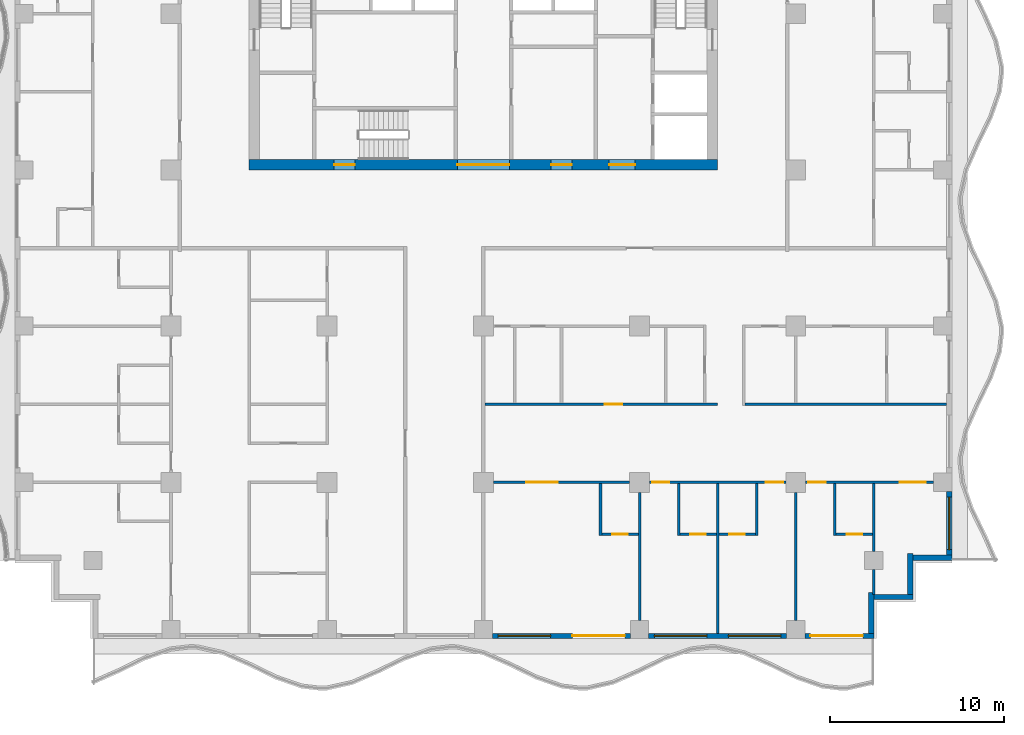
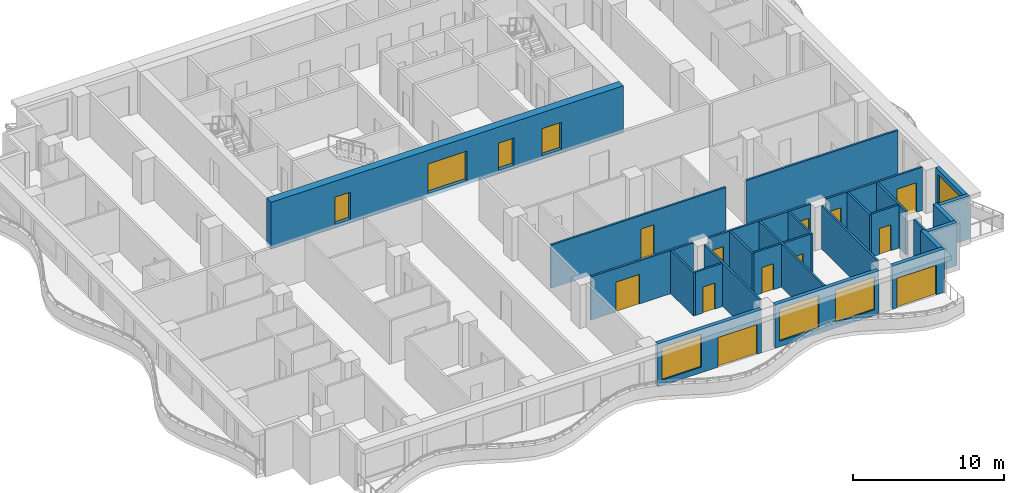
# One storey, part 3 of 11: 27 walls, 16 doors, 4 windows, 20 openings.
"""IFC4 building model written with IfcOpenShell, lengths in metres."""

from ifc_helpers import new_model, si_unit, direction, frame, frame_2d, origin, place, context, subcontext, project, spatial, rectangle, extrude, material, layer, layer_set, type_object, element, fill, save


model = new_model("IFC4")

# Units and contexts
model_context = context("Model", 3, precision=1e-05, world=origin(), true_north=direction((0.0, 1.0)))
body_context = subcontext(model_context, "Body", "Model", "MODEL_VIEW")
ifc_project = project(units=[si_unit("LENGTHUNIT", "METRE"), si_unit("AREAUNIT", "SQUARE_METRE"), si_unit("VOLUMEUNIT", "CUBIC_METRE"), si_unit("PLANEANGLEUNIT", "RADIAN"), si_unit("MASSUNIT", "GRAM", prefix="KILO")], contexts=[model_context])

# Site, building, storey
site_placement = place(None, origin())
site = spatial("IfcSite", under=ifc_project, at=site_placement, CompositionType="ELEMENT")
building_placement = place(site_placement, origin())
building = spatial("IfcBuilding", under=site, at=building_placement, Name="Orbiselva Terraces", CompositionType="ELEMENT")
storey_placement = place(building_placement, frame((0.0, 0.0, 192.0)))
storey = spatial("IfcBuildingStorey", under=building, at=storey_placement, Name="L48", CompositionType="ELEMENT", Elevation=192.0)

# Wall, openings, doors
ifc_material_1 = material(Name="Concrete C80/95", Category="concrete")
ifc_layer_1 = layer(ifc_material_1, 0.6)
ifc_layer_set_1 = layer_set([ifc_layer_1], Name="Concrete C80/95")
wall_type_1 = type_object("IfcWallType", Name="CORE WALL 600", PredefinedType="SHEAR", material=ifc_layer_set_1)
wall_1_placement = place(storey_placement, frame((-13.5, 4.8, -0.3), z_axis=(0.0, 0.0, 1.0), x_axis=(1.0, 0.0, 0.0)))
wall_1 = element("IfcWall", 1, at=wall_1_placement, inside=storey, type_object=wall_type_1, Name="Core wall L48 south", PredefinedType="SHEAR", context=body_context, shape_type="SweptSolid", body=[
    extrude(rectangle(XDim=27.0, YDim=0.6, at=frame_2d((13.5, 0.0))), origin(), (0.0, 0.0, 1.0), 3.8),
])
opening_1_placement = place(wall_1_placement, frame((12.0, 0.0, 0.3)))
opening_1 = element("IfcOpeningElement", 2, at=opening_1_placement, cuts=wall_1, Name="Opening DL3000", PredefinedType="OPENING", context=body_context, shape_type="SweptSolid", body=[
    extrude(rectangle(XDim=3.0, YDim=2.4, at=frame_2d((1.5, 1.2))), frame((0.0, 0.31, 0.0), z_axis=(0.0, -1.0, 0.0), x_axis=(1.0, 0.0, 0.0)), (0.0, 0.0, 1.0), 0.62),
])
opening_2_placement = place(wall_1_placement, frame((4.9, 0.0, 0.3)))
opening_2 = element("IfcOpeningElement", 3, at=opening_2_placement, cuts=wall_1, Name="Opening DS1200", PredefinedType="OPENING", context=body_context, shape_type="SweptSolid", body=[
    extrude(rectangle(XDim=1.2, YDim=2.2, at=frame_2d((0.6, 1.1))), frame((0.0, 0.31, 0.0), z_axis=(0.0, -1.0, 0.0), x_axis=(1.0, 0.0, 0.0)), (0.0, 0.0, 1.0), 0.62),
])
opening_3_placement = place(wall_1_placement, frame((20.75, 0.0, 0.3)))
opening_3 = element("IfcOpeningElement", 4, at=opening_3_placement, cuts=wall_1, Name="Opening DF1500", PredefinedType="OPENING", context=body_context, shape_type="SweptSolid", body=[
    extrude(rectangle(XDim=1.5, YDim=2.2, at=frame_2d((0.75, 1.1))), frame((0.0, 0.31, 0.0), z_axis=(0.0, -1.0, 0.0), x_axis=(1.0, 0.0, 0.0)), (0.0, 0.0, 1.0), 0.62),
])
opening_4_placement = place(wall_1_placement, frame((17.4, 0.0, 0.3)))
opening_4 = element("IfcOpeningElement", 5, at=opening_4_placement, cuts=wall_1, Name="Opening DV1200", PredefinedType="OPENING", context=body_context, shape_type="SweptSolid", body=[
    extrude(rectangle(XDim=1.2, YDim=2.2, at=frame_2d((0.6, 1.1))), frame((0.0, 0.31, 0.0), z_axis=(0.0, -1.0, 0.0), x_axis=(1.0, 0.0, 0.0)), (0.0, 0.0, 1.0), 0.62),
])
ifc_material_2 = material(Name="Steel fire door", Category="steel")
door_type_1 = type_object("IfcDoorType", Name="FFL DOOR 1500", OperationType="DOUBLE_DOOR_SINGLE_SWING", PredefinedType="DOOR", material=ifc_material_2)
door_1_placement = place(opening_3_placement, frame((1.5, 0.0, 0.0), z_axis=(0.0, 0.0, 1.0), x_axis=(-1.0, 0.0, 0.0)))
door_1 = element("IfcDoor", 6, at=door_1_placement, inside=storey, type_object=door_type_1, Name="L48 FIRE-FIGHTING LOBBY door", OperationType="DOUBLE_DOOR_SINGLE_SWING", OverallHeight=2.2, OverallWidth=1.5, PredefinedType="DOOR", context=body_context, shape_type="SweptSolid", body=[
    extrude(rectangle(XDim=1.5, YDim=2.2, at=frame_2d((0.75, 1.1))), frame((0.0, 0.025, 0.0), z_axis=(0.0, -1.0, 0.0), x_axis=(1.0, 0.0, 0.0)), (0.0, 0.0, 1.0), 0.05),
])
fill(opening_3, door_1)
door_type_2 = type_object("IfcDoorType", Name="LOBBY DOOR 3000", OperationType="DOUBLE_DOOR_SINGLE_SWING", PredefinedType="DOOR", material=ifc_material_2)
door_2_placement = place(opening_1_placement, frame((3.0, 0.0, 0.0), z_axis=(0.0, 0.0, 1.0), x_axis=(-1.0, 0.0, 0.0)))
door_2 = element("IfcDoor", 7, at=door_2_placement, inside=storey, type_object=door_type_2, Name="L48 LIFT LOBBY door", OperationType="DOUBLE_DOOR_SINGLE_SWING", OverallHeight=2.4, OverallWidth=3.0, PredefinedType="DOOR", context=body_context, shape_type="SweptSolid", body=[
    extrude(rectangle(XDim=3.0, YDim=2.4, at=frame_2d((1.5, 1.2))), frame((0.0, 0.025, 0.0), z_axis=(0.0, -1.0, 0.0), x_axis=(1.0, 0.0, 0.0)), (0.0, 0.0, 1.0), 0.05),
])
fill(opening_1, door_2)
door_type_3 = type_object("IfcDoorType", Name="SERVICE DOOR 1200", OperationType="NOTDEFINED", PredefinedType="DOOR", material=ifc_material_2)
door_3_placement = place(opening_4_placement, frame((1.2, 0.0, 0.0), z_axis=(0.0, 0.0, 1.0), x_axis=(-1.0, 0.0, 0.0)))
door_3 = element("IfcDoor", 8, at=door_3_placement, inside=storey, type_object=door_type_3, Name="L48 SERVICE ROOM door", OperationType="SINGLE_SWING_RIGHT", OverallHeight=2.2, OverallWidth=1.2, PredefinedType="DOOR", context=body_context, shape_type="SweptSolid", body=[
    extrude(rectangle(XDim=1.2, YDim=2.2, at=frame_2d((0.6, 1.1))), frame((0.0, 0.025, 0.0), z_axis=(0.0, -1.0, 0.0), x_axis=(1.0, 0.0, 0.0)), (0.0, 0.0, 1.0), 0.05),
])
fill(opening_4, door_3)
door_type_4 = type_object("IfcDoorType", Name="STAIR DOOR 1200", OperationType="NOTDEFINED", PredefinedType="DOOR", material=ifc_material_2)
door_4_placement = place(opening_2_placement, frame((1.2, 0.0, 0.0), z_axis=(0.0, 0.0, 1.0), x_axis=(-1.0, 0.0, 0.0)))
door_4 = element("IfcDoor", 9, at=door_4_placement, inside=storey, type_object=door_type_4, Name="L48 EXIT STAIR S3 door", OperationType="SINGLE_SWING_LEFT", OverallHeight=2.2, OverallWidth=1.2, PredefinedType="DOOR", context=body_context, shape_type="SweptSolid", body=[
    extrude(rectangle(XDim=1.2, YDim=2.2, at=frame_2d((0.6, 1.1))), frame((0.0, 0.025, 0.0), z_axis=(0.0, -1.0, 0.0), x_axis=(1.0, 0.0, 0.0)), (0.0, 0.0, 1.0), 0.05),
])
fill(opening_2, door_4)

# Wall, openings, door, window
ifc_material_3 = material(Name="Terracotta cladding on masonry backing", Category="masonry")
ifc_layer_2 = layer(ifc_material_3, 0.3)
ifc_layer_set_2 = layer_set([ifc_layer_2], Name="Terracotta cladding on masonry backing")
wall_type_2 = type_object("IfcWallType", Name="ENV-WALL-TERRACOTTA-300", PredefinedType="SOLIDWALL", material=ifc_layer_set_2)
wall_2_placement = place(storey_placement, frame((8.475, -22.35, 0.0), z_axis=(0.0, 0.0, 1.0), x_axis=(-1.0, 0.0, 0.0)))
wall_2 = element("IfcWall", 10, at=wall_2_placement, inside=storey, type_object=wall_type_2, Name="Facade wall L48 S", PredefinedType="SOLIDWALL", context=body_context, shape_type="SweptSolid", body=[
    extrude(rectangle(XDim=7.95, YDim=0.3, at=frame_2d((3.975, 0.0))), origin(), (0.0, 0.0, 1.0), 3.5),
])
opening_5_placement = place(wall_2_placement, frame((4.6, 0.0, 0.45)))
opening_5 = element("IfcOpeningElement", 11, at=opening_5_placement, cuts=wall_2, Name="Opening WN14", PredefinedType="OPENING", context=body_context, shape_type="SweptSolid", body=[
    extrude(rectangle(XDim=3.025, YDim=2.65, at=frame_2d((1.5125, 1.325))), frame((0.0, 0.16, 0.0), z_axis=(0.0, -1.0, 0.0), x_axis=(1.0, 0.0, 0.0)), (0.0, 0.0, 1.0), 0.32),
])
opening_6_placement = place(wall_2_placement, frame((0.325, 0.0, 0.0)))
opening_6 = element("IfcOpeningElement", 12, at=opening_6_placement, cuts=wall_2, Name="Opening Z4-A-E03", PredefinedType="OPENING", context=body_context, shape_type="SweptSolid", body=[
    extrude(rectangle(XDim=3.025, YDim=2.4, at=frame_2d((1.5125, 1.2))), frame((0.0, 0.16, 0.0), z_axis=(0.0, -1.0, 0.0), x_axis=(1.0, 0.0, 0.0)), (0.0, 0.0, 1.0), 0.32),
])
ifc_material_4 = material(Name="Clear low-e glazing in aluminium frame", Category="aluminium")
door_type_5 = type_object("IfcDoorType", Name="BALCONY DOOR 3025 X 2400", OperationType="DOUBLE_DOOR_SLIDING", PredefinedType="DOOR", material=ifc_material_4)
door_5_placement = place(opening_6_placement, origin())
door_5 = element("IfcDoor", 13, at=door_5_placement, inside=storey, type_object=door_type_5, Name="Z4-A-E03", OperationType="SINGLE_SWING_LEFT", OverallHeight=2.4, OverallWidth=3.025, PredefinedType="DOOR", context=body_context, shape_type="SweptSolid", body=[
    extrude(rectangle(XDim=3.025, YDim=2.4, at=frame_2d((1.5125, 1.2))), frame((0.0, 0.025, 0.0), z_axis=(0.0, -1.0, 0.0), x_axis=(1.0, 0.0, 0.0)), (0.0, 0.0, 1.0), 0.05),
])
fill(opening_6, door_5)
window_type = type_object("IfcWindowType", Name="WINDOW 3025 X 2650 S450", PartitioningType="TRIPLE_PANEL_VERTICAL", PredefinedType="WINDOW", material=ifc_material_4)
window_1_placement = place(opening_5_placement, origin())
window_1 = element("IfcWindow", 14, at=window_1_placement, inside=storey, type_object=window_type, Name="Window L48 S", OverallHeight=2.65, OverallWidth=3.025, PartitioningType="SINGLE_PANEL", PredefinedType="WINDOW", context=body_context, shape_type="SweptSolid", body=[
    extrude(rectangle(XDim=3.025, YDim=2.65, at=frame_2d((1.5125, 1.325))), frame((0.0, 0.03, 0.0), z_axis=(0.0, -1.0, 0.0), x_axis=(1.0, 0.0, 0.0)), (0.0, 0.0, 1.0), 0.06),
])
fill(opening_5, window_1)

# Wall, openings, windows
wall_3_placement = place(storey_placement, frame((17.475, -22.35, 0.0), z_axis=(0.0, 0.0, 1.0), x_axis=(-1.0, 0.0, 0.0)))
wall_3 = element("IfcWall", 15, at=wall_3_placement, inside=storey, type_object=wall_type_2, Name="Facade wall L48 S", PredefinedType="SOLIDWALL", context=body_context, shape_type="SweptSolid", body=[
    extrude(rectangle(XDim=7.95, YDim=0.3, at=frame_2d((3.975, 0.0))), origin(), (0.0, 0.0, 1.0), 3.5),
])
opening_7_placement = place(wall_3_placement, frame((4.6, 0.0, 0.45)))
opening_7 = element("IfcOpeningElement", 16, at=opening_7_placement, cuts=wall_3, Name="Opening WN14", PredefinedType="OPENING", context=body_context, shape_type="SweptSolid", body=[
    extrude(rectangle(XDim=3.025, YDim=2.65, at=frame_2d((1.5125, 1.325))), frame((0.0, 0.16, 0.0), z_axis=(0.0, -1.0, 0.0), x_axis=(1.0, 0.0, 0.0)), (0.0, 0.0, 1.0), 0.32),
])
opening_8_placement = place(wall_3_placement, frame((0.325, 0.0, 0.45)))
opening_8 = element("IfcOpeningElement", 17, at=opening_8_placement, cuts=wall_3, Name="Opening WN14", PredefinedType="OPENING", context=body_context, shape_type="SweptSolid", body=[
    extrude(rectangle(XDim=3.025, YDim=2.65, at=frame_2d((1.5125, 1.325))), frame((0.0, 0.16, 0.0), z_axis=(0.0, -1.0, 0.0), x_axis=(1.0, 0.0, 0.0)), (0.0, 0.0, 1.0), 0.32),
])
window_2_placement = place(opening_7_placement, origin())
window_2 = element("IfcWindow", 18, at=window_2_placement, inside=storey, type_object=window_type, Name="Window L48 S", OverallHeight=2.65, OverallWidth=3.025, PartitioningType="SINGLE_PANEL", PredefinedType="WINDOW", context=body_context, shape_type="SweptSolid", body=[
    extrude(rectangle(XDim=3.025, YDim=2.65, at=frame_2d((1.5125, 1.325))), frame((0.0, 0.03, 0.0), z_axis=(0.0, -1.0, 0.0), x_axis=(1.0, 0.0, 0.0)), (0.0, 0.0, 1.0), 0.06),
])
fill(opening_7, window_2)
window_3_placement = place(opening_8_placement, origin())
window_3 = element("IfcWindow", 19, at=window_3_placement, inside=storey, type_object=window_type, Name="Window L48 S", OverallHeight=2.65, OverallWidth=3.025, PartitioningType="SINGLE_PANEL", PredefinedType="WINDOW", context=body_context, shape_type="SweptSolid", body=[
    extrude(rectangle(XDim=3.025, YDim=2.65, at=frame_2d((1.5125, 1.325))), frame((0.0, 0.03, 0.0), z_axis=(0.0, -1.0, 0.0), x_axis=(1.0, 0.0, 0.0)), (0.0, 0.0, 1.0), 0.06),
])
fill(opening_8, window_3)

# Wall, opening, door
wall_4_placement = place(storey_placement, frame((22.5, -22.35, 0.0), z_axis=(0.0, 0.0, 1.0), x_axis=(-1.0, 0.0, 0.0)))
wall_4 = element("IfcWall", 20, at=wall_4_placement, inside=storey, type_object=wall_type_2, Name="Facade wall L48 S", PredefinedType="SOLIDWALL", context=body_context, shape_type="SweptSolid", body=[
    extrude(rectangle(XDim=3.975, YDim=0.3, at=frame_2d((1.9875, 0.0))), origin(), (0.0, 0.0, 1.0), 3.5),
])
opening_9_placement = place(wall_4_placement, frame((0.625, 0.0, 0.0)))
opening_9 = element("IfcOpeningElement", 21, at=opening_9_placement, cuts=wall_4, Name="Opening Z4-A-E15", PredefinedType="OPENING", context=body_context, shape_type="SweptSolid", body=[
    extrude(rectangle(XDim=3.025, YDim=2.4, at=frame_2d((1.5125, 1.2))), frame((0.0, 0.16, 0.0), z_axis=(0.0, -1.0, 0.0), x_axis=(1.0, 0.0, 0.0)), (0.0, 0.0, 1.0), 0.32),
])
door_6_placement = place(opening_9_placement, origin())
door_6 = element("IfcDoor", 22, at=door_6_placement, inside=storey, type_object=door_type_5, Name="Z4-A-E15", OperationType="SINGLE_SWING_LEFT", OverallHeight=2.4, OverallWidth=3.025, PredefinedType="DOOR", context=body_context, shape_type="SweptSolid", body=[
    extrude(rectangle(XDim=3.025, YDim=2.4, at=frame_2d((1.5125, 1.2))), frame((0.0, 0.025, 0.0), z_axis=(0.0, -1.0, 0.0), x_axis=(1.0, 0.0, 0.0)), (0.0, 0.0, 1.0), 0.05),
])
fill(opening_9, door_6)

# Walls
wall_5_placement = place(storey_placement, frame((22.35, -19.85, 0.0), z_axis=(0.0, 0.0, 1.0), x_axis=(0.0, -1.0, 0.0)))
element("IfcWall", 23, at=wall_5_placement, inside=storey, type_object=wall_type_2, Name="Facade wall L48 STEP", PredefinedType="SOLIDWALL", context=body_context, shape_type="SweptSolid", body=[
    extrude(rectangle(XDim=2.35, YDim=0.3, at=frame_2d((1.175, 0.0))), origin(), (0.0, 0.0, 1.0), 3.5),
])
wall_6_placement = place(storey_placement, frame((24.75, -20.1, 0.0), z_axis=(0.0, 0.0, 1.0), x_axis=(-1.0, 0.0, 0.0)))
element("IfcWall", 24, at=wall_6_placement, inside=storey, type_object=wall_type_2, Name="Facade wall L48 STEP", PredefinedType="SOLIDWALL", context=body_context, shape_type="SweptSolid", body=[
    extrude(rectangle(XDim=2.25, YDim=0.3, at=frame_2d((1.125, 0.0))), origin(), (0.0, 0.0, 1.0), 3.5),
])
wall_7_placement = place(storey_placement, frame((24.6, -17.6, 0.0), z_axis=(0.0, 0.0, 1.0), x_axis=(0.0, -1.0, 0.0)))
element("IfcWall", 25, at=wall_7_placement, inside=storey, type_object=wall_type_2, Name="Facade wall L48 STEP", PredefinedType="SOLIDWALL", context=body_context, shape_type="SweptSolid", body=[
    extrude(rectangle(XDim=2.35, YDim=0.3, at=frame_2d((1.175, 0.0))), origin(), (0.0, 0.0, 1.0), 3.5),
])
wall_8_placement = place(storey_placement, frame((27.0, -17.85, 0.0), z_axis=(0.0, 0.0, 1.0), x_axis=(-1.0, 0.0, 0.0)))
element("IfcWall", 26, at=wall_8_placement, inside=storey, type_object=wall_type_2, Name="Facade wall L48 STEP", PredefinedType="SOLIDWALL", context=body_context, shape_type="SweptSolid", body=[
    extrude(rectangle(XDim=2.25, YDim=0.3, at=frame_2d((1.125, 0.0))), origin(), (0.0, 0.0, 1.0), 3.5),
])

# Wall, opening, window
wall_9_placement = place(storey_placement, frame((26.85, -14.025, 0.0), z_axis=(0.0, 0.0, 1.0), x_axis=(0.0, -1.0, 0.0)))
wall_9 = element("IfcWall", 27, at=wall_9_placement, inside=storey, type_object=wall_type_2, Name="Facade wall L48 E", PredefinedType="SOLIDWALL", context=body_context, shape_type="SweptSolid", body=[
    extrude(rectangle(XDim=3.675, YDim=0.3, at=frame_2d((1.8375, 0.0))), origin(), (0.0, 0.0, 1.0), 3.5),
])
opening_10_placement = place(wall_9_placement, frame((0.325, 0.0, 0.45)))
opening_10 = element("IfcOpeningElement", 28, at=opening_10_placement, cuts=wall_9, Name="Opening WN14", PredefinedType="OPENING", context=body_context, shape_type="SweptSolid", body=[
    extrude(rectangle(XDim=3.025, YDim=2.65, at=frame_2d((1.5125, 1.325))), frame((0.0, 0.16, 0.0), z_axis=(0.0, -1.0, 0.0), x_axis=(1.0, 0.0, 0.0)), (0.0, 0.0, 1.0), 0.32),
])
window_4_placement = place(opening_10_placement, origin())
window_4 = element("IfcWindow", 29, at=window_4_placement, inside=storey, type_object=window_type, Name="Window L48 E", OverallHeight=2.65, OverallWidth=3.025, PartitioningType="SINGLE_PANEL", PredefinedType="WINDOW", context=body_context, shape_type="SweptSolid", body=[
    extrude(rectangle(XDim=3.025, YDim=2.65, at=frame_2d((1.5125, 1.325))), frame((0.0, 0.03, 0.0), z_axis=(0.0, -1.0, 0.0), x_axis=(1.0, 0.0, 0.0)), (0.0, 0.0, 1.0), 0.06),
])
fill(opening_10, window_4)

# Wall, opening, door
ifc_material_5 = material(Name="Plasterboard on steel stud partition", Category="steel")
ifc_layer_3 = layer(ifc_material_5, 0.15)
ifc_layer_set_3 = layer_set([ifc_layer_3], Name="Plasterboard on steel stud partition")
wall_type_3 = type_object("IfcWallType", Name="UNIT-PARTITION-150", PredefinedType="PARTITIONING", material=ifc_layer_set_3)
wall_10_placement = place(storey_placement, frame((6.825, -16.5, 0.0), z_axis=(0.0, 0.0, 1.0), x_axis=(1.0, 0.0, 0.0)))
wall_10 = element("IfcWall", 30, at=wall_10_placement, inside=storey, type_object=wall_type_3, Name="PARTITION L48-002", PredefinedType="PARTITIONING", context=body_context, shape_type="SweptSolid", body=[
    extrude(rectangle(XDim=2.1, YDim=0.15, at=frame_2d((1.05, 0.0))), origin(), (0.0, 0.0, 1.0), 3.5),
])
opening_11_placement = place(wall_10_placement, frame((0.6, 0.0, 0.0)))
opening_11 = element("IfcOpeningElement", 31, at=opening_11_placement, cuts=wall_10, Name="Opening Z4-A-37", PredefinedType="OPENING", context=body_context, shape_type="SweptSolid", body=[
    extrude(rectangle(XDim=0.9, YDim=2.1, at=frame_2d((0.45, 1.05))), frame((0.0, 0.085, 0.0), z_axis=(0.0, -1.0, 0.0), x_axis=(1.0, 0.0, 0.0)), (0.0, 0.0, 1.0), 0.17),
])
ifc_material_6 = material(Name="Painted timber door leaf", Category="wood")
door_type_6 = type_object("IfcDoorType", Name="BATH DOOR 900", OperationType="NOTDEFINED", PredefinedType="DOOR", material=ifc_material_6)
door_7_placement = place(opening_11_placement, origin())
door_7 = element("IfcDoor", 32, at=door_7_placement, inside=storey, type_object=door_type_6, Name="Z4-A-37", OperationType="SINGLE_SWING_LEFT", OverallHeight=2.1, OverallWidth=0.9, PredefinedType="DOOR", context=body_context, shape_type="SweptSolid", body=[
    extrude(rectangle(XDim=0.9, YDim=2.1, at=frame_2d((0.45, 1.05))), frame((0.0, 0.025, 0.0), z_axis=(0.0, -1.0, 0.0), x_axis=(1.0, 0.0, 0.0)), (0.0, 0.0, 1.0), 0.05),
])
fill(opening_11, door_7)

wall_11_placement = place(storey_placement, frame((11.325, -16.5, 0.0), z_axis=(0.0, 0.0, 1.0), x_axis=(1.0, 0.0, 0.0)))
wall_11 = element("IfcWall", 33, at=wall_11_placement, inside=storey, type_object=wall_type_3, Name="PARTITION L48-003", PredefinedType="PARTITIONING", context=body_context, shape_type="SweptSolid", body=[
    extrude(rectangle(XDim=2.1, YDim=0.15, at=frame_2d((1.05, 0.0))), origin(), (0.0, 0.0, 1.0), 3.5),
])
opening_12_placement = place(wall_11_placement, frame((0.6, 0.0, 0.0)))
opening_12 = element("IfcOpeningElement", 34, at=opening_12_placement, cuts=wall_11, Name="Opening Z4-A-39", PredefinedType="OPENING", context=body_context, shape_type="SweptSolid", body=[
    extrude(rectangle(XDim=0.9, YDim=2.1, at=frame_2d((0.45, 1.05))), frame((0.0, 0.085, 0.0), z_axis=(0.0, -1.0, 0.0), x_axis=(1.0, 0.0, 0.0)), (0.0, 0.0, 1.0), 0.17),
])
door_8_placement = place(opening_12_placement, origin())
door_8 = element("IfcDoor", 35, at=door_8_placement, inside=storey, type_object=door_type_6, Name="Z4-A-39", OperationType="SINGLE_SWING_LEFT", OverallHeight=2.1, OverallWidth=0.9, PredefinedType="DOOR", context=body_context, shape_type="SweptSolid", body=[
    extrude(rectangle(XDim=0.9, YDim=2.1, at=frame_2d((0.45, 1.05))), frame((0.0, 0.025, 0.0), z_axis=(0.0, -1.0, 0.0), x_axis=(1.0, 0.0, 0.0)), (0.0, 0.0, 1.0), 0.05),
])
fill(opening_12, door_8)

wall_12_placement = place(storey_placement, frame((13.575, -16.5, 0.0), z_axis=(0.0, 0.0, 1.0), x_axis=(1.0, 0.0, 0.0)))
wall_12 = element("IfcWall", 36, at=wall_12_placement, inside=storey, type_object=wall_type_3, Name="PARTITION L48-004", PredefinedType="PARTITIONING", context=body_context, shape_type="SweptSolid", body=[
    extrude(rectangle(XDim=2.1, YDim=0.15, at=frame_2d((1.05, 0.0))), origin(), (0.0, 0.0, 1.0), 3.5),
])
opening_13_placement = place(wall_12_placement, frame((0.6, 0.0, 0.0)))
opening_13 = element("IfcOpeningElement", 37, at=opening_13_placement, cuts=wall_12, Name="Opening Z4-A-41", PredefinedType="OPENING", context=body_context, shape_type="SweptSolid", body=[
    extrude(rectangle(XDim=0.9, YDim=2.1, at=frame_2d((0.45, 1.05))), frame((0.0, 0.085, 0.0), z_axis=(0.0, -1.0, 0.0), x_axis=(1.0, 0.0, 0.0)), (0.0, 0.0, 1.0), 0.17),
])
door_9_placement = place(opening_13_placement, origin())
door_9 = element("IfcDoor", 38, at=door_9_placement, inside=storey, type_object=door_type_6, Name="Z4-A-41", OperationType="SINGLE_SWING_LEFT", OverallHeight=2.1, OverallWidth=0.9, PredefinedType="DOOR", context=body_context, shape_type="SweptSolid", body=[
    extrude(rectangle(XDim=0.9, YDim=2.1, at=frame_2d((0.45, 1.05))), frame((0.0, 0.025, 0.0), z_axis=(0.0, -1.0, 0.0), x_axis=(1.0, 0.0, 0.0)), (0.0, 0.0, 1.0), 0.05),
])
fill(opening_13, door_9)

wall_13_placement = place(storey_placement, frame((20.325, -16.5, 0.0), z_axis=(0.0, 0.0, 1.0), x_axis=(1.0, 0.0, 0.0)))
wall_13 = element("IfcWall", 39, at=wall_13_placement, inside=storey, type_object=wall_type_3, Name="PARTITION L48-005", PredefinedType="PARTITIONING", context=body_context, shape_type="SweptSolid", body=[
    extrude(rectangle(XDim=2.1, YDim=0.15, at=frame_2d((1.05, 0.0))), origin(), (0.0, 0.0, 1.0), 3.5),
])
opening_14_placement = place(wall_13_placement, frame((0.6, 0.0, 0.0)))
opening_14 = element("IfcOpeningElement", 40, at=opening_14_placement, cuts=wall_13, Name="Opening Z4-A-43", PredefinedType="OPENING", context=body_context, shape_type="SweptSolid", body=[
    extrude(rectangle(XDim=0.9, YDim=2.1, at=frame_2d((0.45, 1.05))), frame((0.0, 0.085, 0.0), z_axis=(0.0, -1.0, 0.0), x_axis=(1.0, 0.0, 0.0)), (0.0, 0.0, 1.0), 0.17),
])
door_10_placement = place(opening_14_placement, origin())
door_10 = element("IfcDoor", 41, at=door_10_placement, inside=storey, type_object=door_type_6, Name="Z4-A-43", OperationType="SINGLE_SWING_LEFT", OverallHeight=2.1, OverallWidth=0.9, PredefinedType="DOOR", context=body_context, shape_type="SweptSolid", body=[
    extrude(rectangle(XDim=0.9, YDim=2.1, at=frame_2d((0.45, 1.05))), frame((0.0, 0.025, 0.0), z_axis=(0.0, -1.0, 0.0), x_axis=(1.0, 0.0, 0.0)), (0.0, 0.0, 1.0), 0.05),
])
fill(opening_14, door_10)

wall_14_placement = place(storey_placement, frame((8.425, -13.5, 0.0), z_axis=(0.0, 0.0, 1.0), x_axis=(-1.0, 0.0, 0.0)))
wall_14 = element("IfcWall", 42, at=wall_14_placement, inside=storey, type_object=wall_type_3, Name="PARTITION L48-009", PredefinedType="PARTITIONING", context=body_context, shape_type="SweptSolid", body=[
    extrude(rectangle(XDim=7.85, YDim=0.15, at=frame_2d((3.925, 0.0))), origin(), (0.0, 0.0, 1.0), 3.5),
])
opening_15_placement = place(wall_14_placement, frame((4.15, 0.0, 0.0)))
opening_15 = element("IfcOpeningElement", 43, at=opening_15_placement, cuts=wall_14, Name="Opening Z4-A-36", PredefinedType="OPENING", context=body_context, shape_type="SweptSolid", body=[
    extrude(rectangle(XDim=1.8, YDim=2.4, at=frame_2d((0.9, 1.2))), frame((0.0, 0.085, 0.0), z_axis=(0.0, -1.0, 0.0), x_axis=(1.0, 0.0, 0.0)), (0.0, 0.0, 1.0), 0.17),
])
door_type_7 = type_object("IfcDoorType", Name="DOUBLE DOOR 1800", OperationType="NOTDEFINED", PredefinedType="DOOR", material=ifc_material_6)
door_11_placement = place(opening_15_placement, origin())
door_11 = element("IfcDoor", 44, at=door_11_placement, inside=storey, type_object=door_type_7, Name="Z4-A-36", OperationType="DOUBLE_DOOR_SINGLE_SWING", OverallHeight=2.4, OverallWidth=1.8, PredefinedType="DOOR", context=body_context, shape_type="SweptSolid", body=[
    extrude(rectangle(XDim=1.8, YDim=2.4, at=frame_2d((0.9, 1.2))), frame((0.0, 0.025, 0.0), z_axis=(0.0, -1.0, 0.0), x_axis=(1.0, 0.0, 0.0)), (0.0, 0.0, 1.0), 0.05),
])
fill(opening_15, door_11)

# Wall, openings, doors
wall_15_placement = place(storey_placement, frame((17.425, -13.5, 0.0), z_axis=(0.0, 0.0, 1.0), x_axis=(-1.0, 0.0, 0.0)))
wall_15 = element("IfcWall", 45, at=wall_15_placement, inside=storey, type_object=wall_type_3, Name="PARTITION L48-010", PredefinedType="PARTITIONING", context=body_context, shape_type="SweptSolid", body=[
    extrude(rectangle(XDim=7.85, YDim=0.15, at=frame_2d((3.925, 0.0))), origin(), (0.0, 0.0, 1.0), 3.5),
])
opening_16_placement = place(wall_15_placement, frame((6.7, 0.0, 0.0)))
opening_16 = element("IfcOpeningElement", 46, at=opening_16_placement, cuts=wall_15, Name="Opening Z4-A-38", PredefinedType="OPENING", context=body_context, shape_type="SweptSolid", body=[
    extrude(rectangle(XDim=1.0, YDim=2.4, at=frame_2d((0.5, 1.2))), frame((0.0, 0.085, 0.0), z_axis=(0.0, -1.0, 0.0), x_axis=(1.0, 0.0, 0.0)), (0.0, 0.0, 1.0), 0.17),
])
opening_17_placement = place(wall_15_placement, frame((0.15, 0.0, 0.0)))
opening_17 = element("IfcOpeningElement", 47, at=opening_17_placement, cuts=wall_15, Name="Opening Z4-A-40", PredefinedType="OPENING", context=body_context, shape_type="SweptSolid", body=[
    extrude(rectangle(XDim=1.0, YDim=2.4, at=frame_2d((0.5, 1.2))), frame((0.0, 0.085, 0.0), z_axis=(0.0, -1.0, 0.0), x_axis=(1.0, 0.0, 0.0)), (0.0, 0.0, 1.0), 0.17),
])
door_type_8 = type_object("IfcDoorType", Name="ROOM DOOR 1000", OperationType="NOTDEFINED", PredefinedType="DOOR", material=ifc_material_6)
door_12_placement = place(opening_16_placement, origin())
door_12 = element("IfcDoor", 48, at=door_12_placement, inside=storey, type_object=door_type_8, Name="Z4-A-38", OperationType="SINGLE_SWING_RIGHT", OverallHeight=2.4, OverallWidth=1.0, PredefinedType="DOOR", context=body_context, shape_type="SweptSolid", body=[
    extrude(rectangle(XDim=1.0, YDim=2.4, at=frame_2d((0.5, 1.2))), frame((0.0, 0.025, 0.0), z_axis=(0.0, -1.0, 0.0), x_axis=(1.0, 0.0, 0.0)), (0.0, 0.0, 1.0), 0.05),
])
fill(opening_16, door_12)
door_13_placement = place(opening_17_placement, origin())
door_13 = element("IfcDoor", 49, at=door_13_placement, inside=storey, type_object=door_type_8, Name="Z4-A-40", OperationType="SINGLE_SWING_LEFT", OverallHeight=2.4, OverallWidth=1.0, PredefinedType="DOOR", context=body_context, shape_type="SweptSolid", body=[
    extrude(rectangle(XDim=1.0, YDim=2.4, at=frame_2d((0.5, 1.2))), frame((0.0, 0.025, 0.0), z_axis=(0.0, -1.0, 0.0), x_axis=(1.0, 0.0, 0.0)), (0.0, 0.0, 1.0), 0.05),
])
fill(opening_17, door_13)

wall_16_placement = place(storey_placement, frame((25.95, -13.5, 0.0), z_axis=(0.0, 0.0, 1.0), x_axis=(-1.0, 0.0, 0.0)))
wall_16 = element("IfcWall", 50, at=wall_16_placement, inside=storey, type_object=wall_type_3, Name="PARTITION L48-011", PredefinedType="PARTITIONING", context=body_context, shape_type="SweptSolid", body=[
    extrude(rectangle(XDim=7.375, YDim=0.15, at=frame_2d((3.6875, 0.0))), origin(), (0.0, 0.0, 1.0), 3.5),
])
opening_18_placement = place(wall_16_placement, frame((6.225, 0.0, 0.0)))
opening_18 = element("IfcOpeningElement", 51, at=opening_18_placement, cuts=wall_16, Name="Opening Z4-A-42", PredefinedType="OPENING", context=body_context, shape_type="SweptSolid", body=[
    extrude(rectangle(XDim=1.0, YDim=2.4, at=frame_2d((0.5, 1.2))), frame((0.0, 0.085, 0.0), z_axis=(0.0, -1.0, 0.0), x_axis=(1.0, 0.0, 0.0)), (0.0, 0.0, 1.0), 0.17),
])
opening_19_placement = place(wall_16_placement, frame((0.45, 0.0, 0.0)))
opening_19 = element("IfcOpeningElement", 52, at=opening_19_placement, cuts=wall_16, Name="Opening Z4-A-44", PredefinedType="OPENING", context=body_context, shape_type="SweptSolid", body=[
    extrude(rectangle(XDim=1.5, YDim=2.4, at=frame_2d((0.75, 1.2))), frame((0.0, 0.085, 0.0), z_axis=(0.0, -1.0, 0.0), x_axis=(1.0, 0.0, 0.0)), (0.0, 0.0, 1.0), 0.17),
])
door_type_9 = type_object("IfcDoorType", Name="DOUBLE DOOR 1500", OperationType="NOTDEFINED", PredefinedType="DOOR", material=ifc_material_6)
door_14_placement = place(opening_19_placement, origin())
door_14 = element("IfcDoor", 53, at=door_14_placement, inside=storey, type_object=door_type_9, Name="Z4-A-44", OperationType="DOUBLE_DOOR_SINGLE_SWING", OverallHeight=2.4, OverallWidth=1.5, PredefinedType="DOOR", context=body_context, shape_type="SweptSolid", body=[
    extrude(rectangle(XDim=1.5, YDim=2.4, at=frame_2d((0.75, 1.2))), frame((0.0, 0.025, 0.0), z_axis=(0.0, -1.0, 0.0), x_axis=(1.0, 0.0, 0.0)), (0.0, 0.0, 1.0), 0.05),
])
fill(opening_19, door_14)
door_15_placement = place(opening_18_placement, origin())
door_15 = element("IfcDoor", 54, at=door_15_placement, inside=storey, type_object=door_type_8, Name="Z4-A-42", OperationType="SINGLE_SWING_RIGHT", OverallHeight=2.4, OverallWidth=1.0, PredefinedType="DOOR", context=body_context, shape_type="SweptSolid", body=[
    extrude(rectangle(XDim=1.0, YDim=2.4, at=frame_2d((0.5, 1.2))), frame((0.0, 0.025, 0.0), z_axis=(0.0, -1.0, 0.0), x_axis=(1.0, 0.0, 0.0)), (0.0, 0.0, 1.0), 0.05),
])
fill(opening_18, door_15)

# Wall, opening, door
wall_17_placement = place(storey_placement, frame((0.1, -9.0, 0.0), z_axis=(0.0, 0.0, 1.0), x_axis=(1.0, 0.0, 0.0)))
wall_17 = element("IfcWall", 55, at=wall_17_placement, inside=storey, type_object=wall_type_3, Name="PARTITION L48-017", PredefinedType="PARTITIONING", context=body_context, shape_type="SweptSolid", body=[
    extrude(rectangle(XDim=13.4, YDim=0.15, at=frame_2d((6.7, 0.0))), origin(), (0.0, 0.0, 1.0), 3.5),
])
opening_20_placement = place(wall_17_placement, frame((6.9, 0.0, 0.0)))
opening_20 = element("IfcOpeningElement", 56, at=opening_20_placement, cuts=wall_17, Name="Opening Z4-A-31", PredefinedType="OPENING", context=body_context, shape_type="SweptSolid", body=[
    extrude(rectangle(XDim=1.0, YDim=2.4, at=frame_2d((0.5, 1.2))), frame((0.0, 0.085, 0.0), z_axis=(0.0, -1.0, 0.0), x_axis=(1.0, 0.0, 0.0)), (0.0, 0.0, 1.0), 0.17),
])
door_16_placement = place(opening_20_placement, origin())
door_16 = element("IfcDoor", 57, at=door_16_placement, inside=storey, type_object=door_type_8, Name="Z4-A-31", OperationType="SINGLE_SWING_RIGHT", OverallHeight=2.4, OverallWidth=1.0, PredefinedType="DOOR", context=body_context, shape_type="SweptSolid", body=[
    extrude(rectangle(XDim=1.0, YDim=2.4, at=frame_2d((0.5, 1.2))), frame((0.0, 0.025, 0.0), z_axis=(0.0, -1.0, 0.0), x_axis=(1.0, 0.0, 0.0)), (0.0, 0.0, 1.0), 0.05),
])
fill(opening_20, door_16)

# Walls
wall_18_placement = place(storey_placement, frame((15.075, -9.0, 0.0), z_axis=(0.0, 0.0, 1.0), x_axis=(1.0, 0.0, 0.0)))
element("IfcWall", 58, at=wall_18_placement, inside=storey, type_object=wall_type_3, Name="PARTITION L48-018", PredefinedType="PARTITIONING", context=body_context, shape_type="SweptSolid", body=[
    extrude(rectangle(XDim=11.625, YDim=0.15, at=frame_2d((5.8125, 0.0))), origin(), (0.0, 0.0, 1.0), 3.5),
])
wall_19_placement = place(storey_placement, frame((6.75, -16.575, 0.0), z_axis=(0.0, 0.0, 1.0), x_axis=(0.0, 1.0, 0.0)))
element("IfcWall", 59, at=wall_19_placement, inside=storey, type_object=wall_type_3, Name="PARTITION L48-064", PredefinedType="PARTITIONING", context=body_context, shape_type="SweptSolid", body=[
    extrude(rectangle(XDim=3.0, YDim=0.15, at=frame_2d((1.5, 0.0))), origin(), (0.0, 0.0, 1.0), 3.5),
])
wall_20_placement = place(storey_placement, frame((9.0, -21.45, 0.0), z_axis=(0.0, 0.0, 1.0), x_axis=(0.0, 1.0, 0.0)))
element("IfcWall", 60, at=wall_20_placement, inside=storey, type_object=wall_type_3, Name="PARTITION L48-065", PredefinedType="PARTITIONING", context=body_context, shape_type="SweptSolid", body=[
    extrude(rectangle(XDim=7.375, YDim=0.15, at=frame_2d((3.6875, 0.0))), origin(), (0.0, 0.0, 1.0), 3.5),
])
wall_21_placement = place(storey_placement, frame((11.25, -16.575, 0.0), z_axis=(0.0, 0.0, 1.0), x_axis=(0.0, 1.0, 0.0)))
element("IfcWall", 61, at=wall_21_placement, inside=storey, type_object=wall_type_3, Name="PARTITION L48-067", PredefinedType="PARTITIONING", context=body_context, shape_type="SweptSolid", body=[
    extrude(rectangle(XDim=3.0, YDim=0.15, at=frame_2d((1.5, 0.0))), origin(), (0.0, 0.0, 1.0), 3.5),
])
wall_22_placement = place(storey_placement, frame((13.5, -22.2, 0.0), z_axis=(0.0, 0.0, 1.0), x_axis=(0.0, 1.0, 0.0)))
element("IfcWall", 62, at=wall_22_placement, inside=storey, type_object=wall_type_3, Name="PARTITION L48-069", PredefinedType="PARTITIONING", context=body_context, shape_type="SweptSolid", body=[
    extrude(rectangle(XDim=8.625, YDim=0.15, at=frame_2d((4.3125, 0.0))), origin(), (0.0, 0.0, 1.0), 3.5),
])
wall_23_placement = place(storey_placement, frame((15.75, -16.575, 0.0), z_axis=(0.0, 0.0, 1.0), x_axis=(0.0, 1.0, 0.0)))
element("IfcWall", 63, at=wall_23_placement, inside=storey, type_object=wall_type_3, Name="PARTITION L48-071", PredefinedType="PARTITIONING", context=body_context, shape_type="SweptSolid", body=[
    extrude(rectangle(XDim=3.0, YDim=0.15, at=frame_2d((1.5, 0.0))), origin(), (0.0, 0.0, 1.0), 3.5),
])
wall_24_placement = place(storey_placement, frame((18.0, -21.45, 0.0), z_axis=(0.0, 0.0, 1.0), x_axis=(0.0, 1.0, 0.0)))
element("IfcWall", 64, at=wall_24_placement, inside=storey, type_object=wall_type_3, Name="PARTITION L48-076", PredefinedType="PARTITIONING", context=body_context, shape_type="SweptSolid", body=[
    extrude(rectangle(XDim=7.375, YDim=0.15, at=frame_2d((3.6875, 0.0))), origin(), (0.0, 0.0, 1.0), 3.5),
])
wall_25_placement = place(storey_placement, frame((20.25, -16.575, 0.0), z_axis=(0.0, 0.0, 1.0), x_axis=(0.0, 1.0, 0.0)))
element("IfcWall", 65, at=wall_25_placement, inside=storey, type_object=wall_type_3, Name="PARTITION L48-078", PredefinedType="PARTITIONING", context=body_context, shape_type="SweptSolid", body=[
    extrude(rectangle(XDim=3.0, YDim=0.15, at=frame_2d((1.5, 0.0))), origin(), (0.0, 0.0, 1.0), 3.5),
])
wall_26_placement = place(storey_placement, frame((22.5, -19.95, 0.0), z_axis=(0.0, 0.0, 1.0), x_axis=(0.0, 1.0, 0.0)))
element("IfcWall", 66, at=wall_26_placement, inside=storey, type_object=wall_type_3, Name="PARTITION L48-079", PredefinedType="PARTITIONING", context=body_context, shape_type="SweptSolid", body=[
    extrude(rectangle(XDim=1.425, YDim=0.15, at=frame_2d((0.7125, 0.0))), origin(), (0.0, 0.0, 1.0), 3.5),
])
wall_27_placement = place(storey_placement, frame((22.5, -17.475, 0.0), z_axis=(0.0, 0.0, 1.0), x_axis=(0.0, 1.0, 0.0)))
element("IfcWall", 67, at=wall_27_placement, inside=storey, type_object=wall_type_3, Name="PARTITION L48-080", PredefinedType="PARTITIONING", context=body_context, shape_type="SweptSolid", body=[
    extrude(rectangle(XDim=3.9, YDim=0.15, at=frame_2d((1.95, 0.0))), origin(), (0.0, 0.0, 1.0), 3.5),
])

save(model, "model.ifc")
